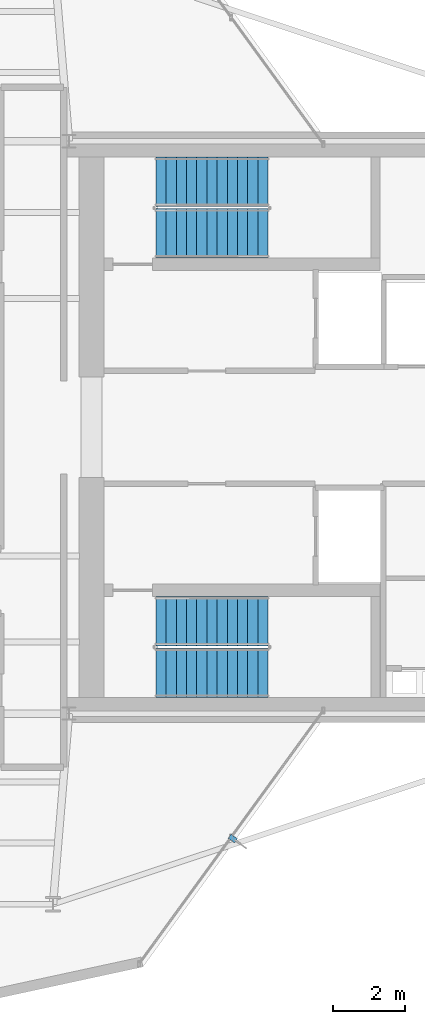
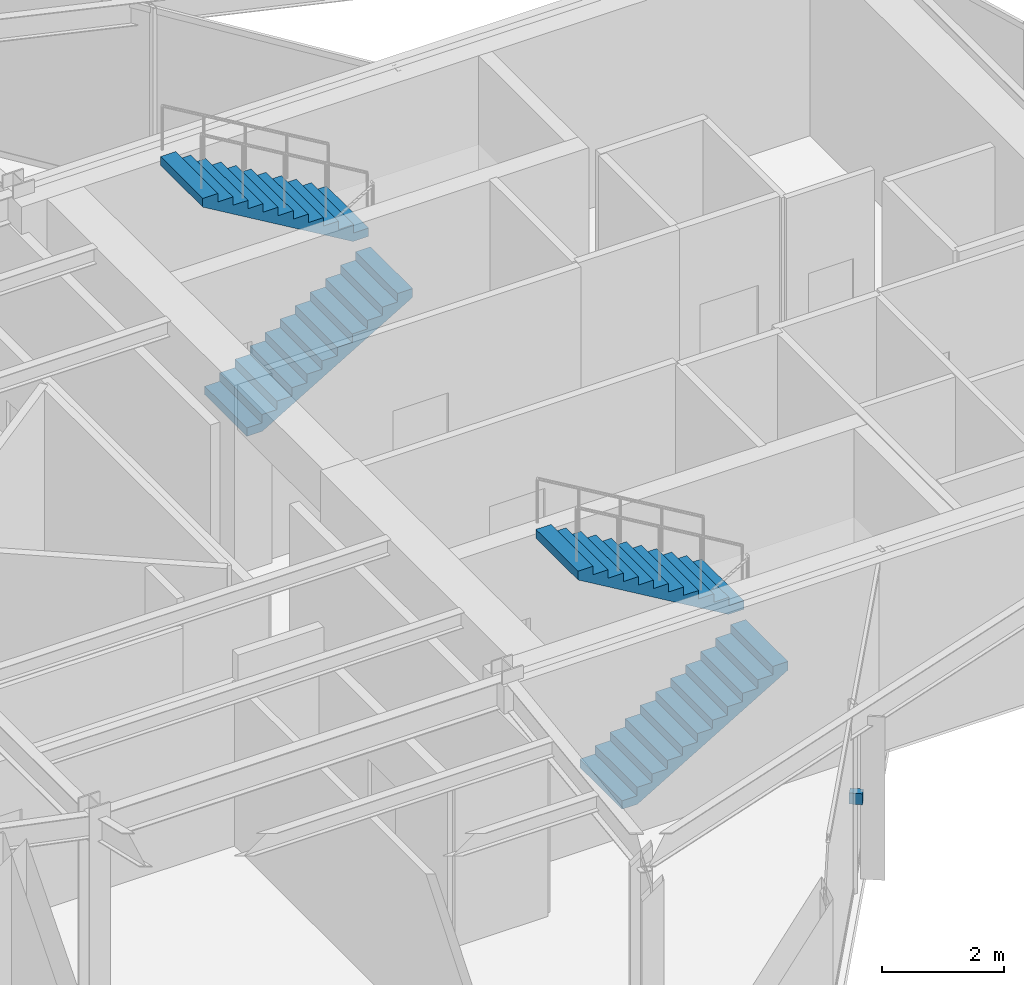
# One storey, part 20 of 21: 4 stair flights, 1 discrete accessory, 2 elements without a shape of their own.
"""IFC4 building model written with IfcOpenShell, lengths in metres."""

from ifc_helpers import new_model, si_unit, direction, frame, origin, origin_2d, place, context, subcontext, project, spatial, polyline, rectangle, outline, extrude, material, layer, layer_set, type_object, element, aggregate, save


model = new_model("IFC4")

# Units and contexts
model_context = context("Model", 3, precision=1e-05, world=origin(), true_north=direction((0.0, 1.0)))
body_context = subcontext(model_context, "Body", "Model", "MODEL_VIEW")
ifc_project = project(units=[si_unit("LENGTHUNIT", "METRE"), si_unit("AREAUNIT", "SQUARE_METRE"), si_unit("VOLUMEUNIT", "CUBIC_METRE"), si_unit("PLANEANGLEUNIT", "RADIAN"), si_unit("MASSUNIT", "GRAM", prefix="KILO")], contexts=[model_context])

# Site, building, storey
site_placement = place(None, origin())
site = spatial("IfcSite", under=ifc_project, at=site_placement, CompositionType="ELEMENT")
building_placement = place(site_placement, origin())
building = spatial("IfcBuilding", under=site, at=building_placement, Name="Veymaron Broadcast Tower", CompositionType="ELEMENT")
storey_placement = place(building_placement, frame((0.0, 0.0, 228.300048828125)))
storey = spatial("IfcBuildingStorey", under=building, at=storey_placement, Name="L53", CompositionType="ELEMENT", Elevation=228.300048828125)

# Stair, stair flights
ifc_material_1 = material(Name="Concrete C50/60", Category="concrete")
stair_type_1 = type_object("IfcStairType", Name="STAIR-CORE-1", PredefinedType="HALF_TURN_STAIR", material=ifc_material_1)
stair_1_placement = place(storey_placement, origin())
stair_1 = element("IfcStair", 1, at=stair_1_placement, inside=storey, type_object=stair_type_1, Name="L53 North protected dog-leg exit stair ST1", PredefinedType="HALF_TURN_STAIR")
ifc_material_2 = material(Name="Precast concrete C50/60", Category="concrete")
stair_flight_type = type_object("IfcStairFlightType", Name="FLT-CORE-RC", PredefinedType="STRAIGHT", material=ifc_material_2)
stair_flight_1_placement = place(storey_placement, frame((41.429931640625, 29.419921875, 0.0), z_axis=(0.0, 0.0, 1.0), x_axis=(1.0, 0.0, 0.0)))
stair_flight_1 = element("IfcStairFlight", 2, at=stair_flight_1_placement, type_object=stair_flight_type, Name="ST1 flight 1", NumberOfRisers=12, NumberOfTreads=11, PredefinedType="STRAIGHT", RiserHeight=0.16875, TreadLength=0.285, context=body_context, shape_type="SweptSolid", body=[
    extrude(outline(polyline([(0.0, 0.0), (0.0, 0.168701171875), (0.284912109375, 0.168701171875), (0.284912109375, 0.33740234375), (0.570068359375, 0.33740234375), (0.570068359375, 0.50634765625), (0.85498046875, 0.50634765625), (0.85498046875, 0.675048828125), (1.139892578125, 0.675048828125), (1.139892578125, 0.84375), (1.425048828125, 0.84375), (1.425048828125, 1.012451171875), (1.7099609375, 1.012451171875), (1.7099609375, 1.18115234375), (1.9951171875, 1.18115234375), (1.9951171875, 1.35009765625), (2.280029296875, 1.35009765625), (2.280029296875, 1.518798828125), (2.56494140625, 1.518798828125), (2.56494140625, 1.6875), (2.85009765625, 1.6875), (2.85009765625, 1.856201171875), (3.135009765625, 1.856201171875), (3.135009765625, 2.02490234375), (3.135009765625, 1.68212890625), (0.294189453125, 0.0), (0.0, 0.0)])), frame((0.0, 0.68994140625, 0.0), z_axis=(0.0, -1.0, 0.0), x_axis=(1.0, 0.0, 0.0)), (0.0, 0.0, 1.0), 1.3798828125),
])
stair_flight_2_placement = place(storey_placement, frame((44.56494140625, 30.860107421875, 2.02490234375), z_axis=(0.0, 0.0, 1.0), x_axis=(-1.0, 0.0, 0.0)))
stair_flight_2 = element("IfcStairFlight", 3, at=stair_flight_2_placement, type_object=stair_flight_type, Name="ST1 flight 2", NumberOfRisers=12, NumberOfTreads=11, PredefinedType="STRAIGHT", RiserHeight=0.16875, TreadLength=0.285, context=body_context, shape_type="SweptSolid", body=[
    extrude(outline(polyline([(0.0, 0.0), (0.0, 0.168701171875), (0.284912109375, 0.168701171875), (0.284912109375, 0.33740234375), (0.570068359375, 0.33740234375), (0.570068359375, 0.50634765625), (0.85498046875, 0.50634765625), (0.85498046875, 0.675048828125), (1.139892578125, 0.675048828125), (1.139892578125, 0.84375), (1.425048828125, 0.84375), (1.425048828125, 1.012451171875), (1.7099609375, 1.012451171875), (1.7099609375, 1.18115234375), (1.9951171875, 1.18115234375), (1.9951171875, 1.35009765625), (2.280029296875, 1.35009765625), (2.280029296875, 1.518798828125), (2.56494140625, 1.518798828125), (2.56494140625, 1.6875), (2.85009765625, 1.6875), (2.85009765625, 1.856201171875), (3.135009765625, 1.856201171875), (3.135009765625, 2.02490234375), (3.135009765625, 1.68212890625), (0.294189453125, 0.0), (0.0, 0.0)])), frame((0.0, 0.68994140625, 0.0), z_axis=(0.0, -1.0, 0.0), x_axis=(1.0, 0.0, 0.0)), (0.0, 0.0, 1.0), 1.3798828125),
])
aggregate(stair_1, [stair_flight_1, stair_flight_2])

stair_type_2 = type_object("IfcStairType", Name="STAIR-CORE-2", PredefinedType="HALF_TURN_STAIR", material=ifc_material_1)
stair_2_placement = place(storey_placement, origin())
stair_2 = element("IfcStair", 4, at=stair_2_placement, inside=storey, type_object=stair_type_2, Name="L53 South protected dog-leg exit stair ST2", PredefinedType="HALF_TURN_STAIR")
stair_flight_3_placement = place(storey_placement, frame((41.429931640625, 17.139892578125, 0.0), z_axis=(0.0, 0.0, 1.0), x_axis=(1.0, 0.0, 0.0)))
stair_flight_3 = element("IfcStairFlight", 5, at=stair_flight_3_placement, type_object=stair_flight_type, Name="ST2 flight 1", NumberOfRisers=12, NumberOfTreads=11, PredefinedType="STRAIGHT", RiserHeight=0.16875, TreadLength=0.285, context=body_context, shape_type="SweptSolid", body=[
    extrude(outline(polyline([(0.0, 0.0), (0.0, 0.168701171875), (0.284912109375, 0.168701171875), (0.284912109375, 0.33740234375), (0.570068359375, 0.33740234375), (0.570068359375, 0.50634765625), (0.85498046875, 0.50634765625), (0.85498046875, 0.675048828125), (1.139892578125, 0.675048828125), (1.139892578125, 0.84375), (1.425048828125, 0.84375), (1.425048828125, 1.012451171875), (1.7099609375, 1.012451171875), (1.7099609375, 1.18115234375), (1.9951171875, 1.18115234375), (1.9951171875, 1.35009765625), (2.280029296875, 1.35009765625), (2.280029296875, 1.518798828125), (2.56494140625, 1.518798828125), (2.56494140625, 1.6875), (2.85009765625, 1.6875), (2.85009765625, 1.856201171875), (3.135009765625, 1.856201171875), (3.135009765625, 2.02490234375), (3.135009765625, 1.68212890625), (0.294189453125, 0.0), (0.0, 0.0)])), frame((0.0, 0.68994140625, 0.0), z_axis=(0.0, -1.0, 0.0), x_axis=(1.0, 0.0, 0.0)), (0.0, 0.0, 1.0), 1.3798828125),
])
stair_flight_4_placement = place(storey_placement, frame((44.56494140625, 18.580078125, 2.02490234375), z_axis=(0.0, 0.0, 1.0), x_axis=(-1.0, 0.0, 0.0)))
stair_flight_4 = element("IfcStairFlight", 6, at=stair_flight_4_placement, type_object=stair_flight_type, Name="ST2 flight 2", NumberOfRisers=12, NumberOfTreads=11, PredefinedType="STRAIGHT", RiserHeight=0.16875, TreadLength=0.285, context=body_context, shape_type="SweptSolid", body=[
    extrude(outline(polyline([(0.0, 0.0), (0.0, 0.168701171875), (0.284912109375, 0.168701171875), (0.284912109375, 0.33740234375), (0.570068359375, 0.33740234375), (0.570068359375, 0.50634765625), (0.85498046875, 0.50634765625), (0.85498046875, 0.675048828125), (1.139892578125, 0.675048828125), (1.139892578125, 0.84375), (1.425048828125, 0.84375), (1.425048828125, 1.012451171875), (1.7099609375, 1.012451171875), (1.7099609375, 1.18115234375), (1.9951171875, 1.18115234375), (1.9951171875, 1.35009765625), (2.280029296875, 1.35009765625), (2.280029296875, 1.518798828125), (2.56494140625, 1.518798828125), (2.56494140625, 1.6875), (2.85009765625, 1.6875), (2.85009765625, 1.856201171875), (3.135009765625, 1.856201171875), (3.135009765625, 2.02490234375), (3.135009765625, 1.68212890625), (0.294189453125, 0.0), (0.0, 0.0)])), frame((0.0, 0.68994140625, 0.0), z_axis=(0.0, -1.0, 0.0), x_axis=(1.0, 0.0, 0.0)), (0.0, 0.0, 1.0), 1.3798828125),
])
aggregate(stair_2, [stair_flight_3, stair_flight_4])

# Discrete accessory
ifc_material_3 = material(Name="Austenitic stainless steel AISI 316L", Category="steel")
ifc_layer = layer(ifc_material_3, 0.1201171875)
ifc_layer_set = layer_set([ifc_layer], Name="Austenitic stainless steel AISI 316L")
discrete_accessory_type = type_object("IfcDiscreteAccessoryType", Name="ACC-BRKT-SS1", PredefinedType="BRACKET", material=ifc_layer_set)
discrete_accessory_placement = place(storey_placement, frame((43.57861328125, 12.506103515625, 1.78515625), z_axis=(0.0, 0.0, 1.0), x_axis=(0.808780977075, -0.588109965161, 0.0)))
element("IfcDiscreteAccessory", 7, at=discrete_accessory_placement, inside=storey, type_object=discrete_accessory_type, Name="CW-L53-E20-1 fin bracket 1", PredefinedType="BRACKET", context=body_context, shape_type="SweptSolid", body=[
    extrude(rectangle(XDim=0.219970703125, YDim=0.139892578125, at=origin_2d()), origin(), (0.0, 0.0, 1.0), 0.219970703125),
])

save(model, "model.ifc")
